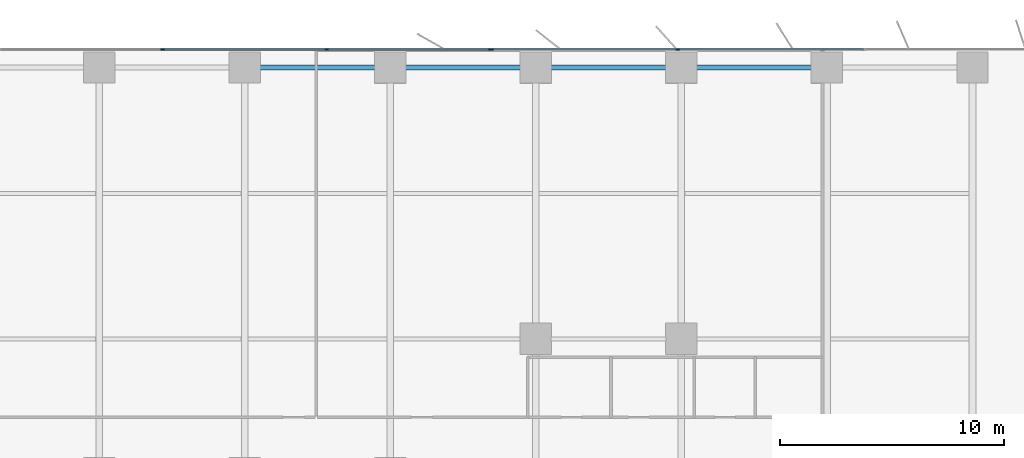
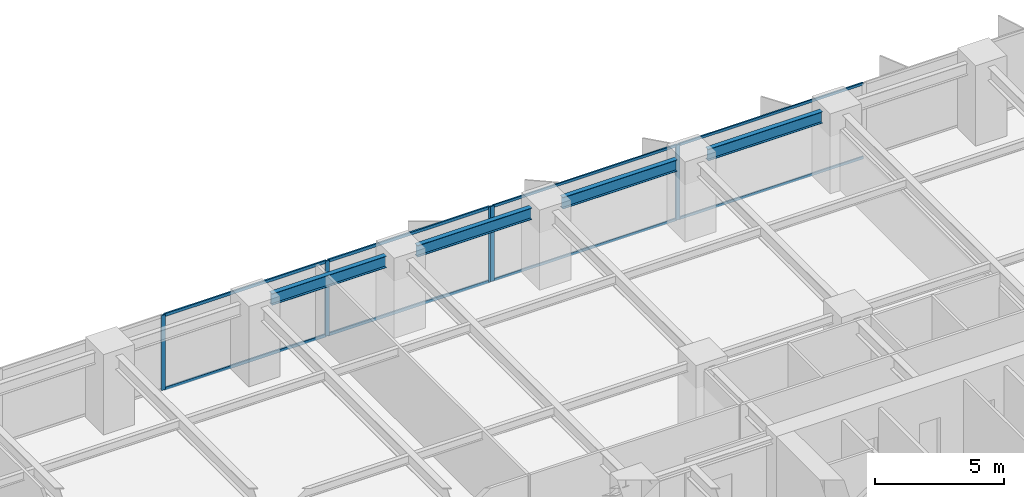
# One storey, part 9 of 20: 13 members, 4 beams, 2 elements without a shape of their own.
"""IFC4 building model written with IfcOpenShell, lengths in metres."""

from ifc_helpers import new_model, si_unit, direction, frame, origin, origin_2d, place, context, subcontext, project, spatial, rectangle, i_section, extrude, material, layer, layer_set, material_profile, profile_set, type_object, element, aggregate, save


model = new_model("IFC4")

# Units and contexts
model_context = context("Model", 3, precision=1e-05, world=origin(), true_north=direction((0.0, 1.0)))
body_context = subcontext(model_context, "Body", "Model", "MODEL_VIEW")
ifc_project = project(units=[si_unit("LENGTHUNIT", "METRE"), si_unit("AREAUNIT", "SQUARE_METRE"), si_unit("VOLUMEUNIT", "CUBIC_METRE"), si_unit("PLANEANGLEUNIT", "RADIAN"), si_unit("MASSUNIT", "GRAM", prefix="KILO")], contexts=[model_context])

# Site, building, storey
site_placement = place(None, origin())
site = spatial("IfcSite", under=ifc_project, at=site_placement, CompositionType="ELEMENT")
building_placement = place(site_placement, origin())
building = spatial("IfcBuilding", under=site, at=building_placement, Name="Putna Gate Headquarters", CompositionType="ELEMENT")
storey_placement = place(building_placement, frame((0.0, 0.0, 50.60009765625)))
storey = spatial("IfcBuildingStorey", under=building, at=storey_placement, Name="L11", CompositionType="ELEMENT", Elevation=50.60009765625)

# Beams
ifc_material_1 = material(Name="Steel S355J2", Category="steel")
ifc_material_profile_1 = material_profile(ifc_material_1, i_section(OverallWidth=0.2099609375, OverallDepth=0.550048828125, WebThickness=0.010986328125, FlangeThickness=0.01708984375, at=origin_2d()), Name="Steel S355J2")
ifc_profile_set_1 = profile_set([ifc_material_profile_1], Name="Steel S355J2")
beam_type = type_object("IfcBeamType", Name="BM-SPAN-Z1-IPE550", PredefinedType="SPANDREL", material=ifc_profile_set_1)
for number, where, z_axis, x_axis, name in (
    (1, (39.68798828125, 51.1201171875, 3.27490234375), (1.0, 0.0, 0.0), (0.0, 1.0, 0.0), "L11 N Perimeter Spandrel 6"),
    (2, (46.18798828125, 51.1201171875, 3.27490234375), (1.0, 0.0, 0.0), (0.0, 1.0, 0.0), "L11 N Perimeter Spandrel 7"),
    (3, (52.68798828125, 51.1201171875, 3.27490234375), (1.0, 0.0, 0.0), (0.0, 1.0, 0.0), "L11 N Perimeter Spandrel 8"),
    (4, (59.18798828125, 51.1201171875, 3.27490234375), (1.0, 0.0, 0.0), (0.0, 1.0, 0.0), "L11 N Perimeter Spandrel 9"),
):
    element("IfcBeam", number, at=place(storey_placement, frame(where, z_axis=z_axis, x_axis=x_axis)), inside=storey, type_object=beam_type, Name=name, PredefinedType="SPANDREL", context=body_context, shape_type="SweptSolid", body=[
        extrude(i_section(OverallWidth=0.2099609375, OverallDepth=0.550048828125, WebThickness=0.010986328125, FlangeThickness=0.01708984375, at=origin_2d()), origin(), (0.0, 0.0, 1.0), 5.1240234375),
    ])

# Curtain wall, members
ifc_material_2 = material(Name="Anodised bronze aluminium curtain wall", Category="aluminium")
ifc_layer_1 = layer(ifc_material_2, 0.179931640625)
ifc_layer_set_1 = layer_set([ifc_layer_1], Name="Anodised bronze aluminium curtain wall")
curtain_wall_type_1 = type_object("IfcCurtainWallType", Name="CW-SYS-Z1", PredefinedType="USERDEFINED", material=ifc_layer_set_1)
curtain_wall_1_placement = place(storey_placement, origin())
curtain_wall_1 = element("IfcCurtainWall", 5, at=curtain_wall_1_placement, inside=storey, type_object=curtain_wall_type_1, Name="L11 North East Curtain Wall", ObjectType="STICK CURTAIN WALL", PredefinedType="USERDEFINED")
ifc_material_3 = material(Name="Anodised bronze aluminium EN AW-6060", Category="aluminium")
ifc_material_profile_2 = material_profile(ifc_material_3, rectangle(XDim=0.070068359375, YDim=0.179931640625, at=origin_2d()), Name="Anodised bronze aluminium EN AW-6060")
ifc_profile_set_2 = profile_set([ifc_material_profile_2], Name="Anodised bronze aluminium EN AW-6060")
member_type_1 = type_object("IfcMemberType", Name="MULL-CWM-1", PredefinedType="MULLION", material=ifc_profile_set_2)
member_1_placement = place(storey_placement, frame((50.034912109375, 51.919921875, 0.0), z_axis=(0.0, 0.0, 1.0), x_axis=(0.0, 1.0, 0.0)))
member_1 = element("IfcMember", 6, at=member_1_placement, type_object=member_type_1, Name="CWS-1 mullion 1", PredefinedType="MULLION", context=body_context, shape_type="SweptSolid", body=[
    extrude(rectangle(XDim=0.070068359375, YDim=0.179931640625, at=origin_2d()), origin(), (0.0, 0.0, 1.0), 3.5498046875),
])
member_2_placement = place(storey_placement, frame((58.333251953125, 51.919921875, 0.0), z_axis=(0.0, 0.0, 1.0), x_axis=(0.0, 1.0, 0.0)))
member_2 = element("IfcMember", 7, at=member_2_placement, type_object=member_type_1, Name="CWS-1 mullion 2", PredefinedType="MULLION", context=body_context, shape_type="SweptSolid", body=[
    extrude(rectangle(XDim=0.070068359375, YDim=0.179931640625, at=origin_2d()), origin(), (0.0, 0.0, 1.0), 3.5498046875),
])

ifc_layer_2 = layer(ifc_material_2, 0.179931640625)
ifc_layer_set_2 = layer_set([ifc_layer_2], Name="Anodised bronze aluminium curtain wall")
curtain_wall_type_2 = type_object("IfcCurtainWallType", Name="CW-SYS-ATR", PredefinedType="USERDEFINED", material=ifc_layer_set_2)
curtain_wall_2_placement = place(storey_placement, origin())
curtain_wall_2 = element("IfcCurtainWall", 8, at=curtain_wall_2_placement, inside=storey, type_object=curtain_wall_type_2, Name="L11 North Atrium Clear Glazing", ObjectType="ATRIUM GLAZING", PredefinedType="USERDEFINED")
ifc_material_profile_3 = material_profile(ifc_material_3, rectangle(XDim=0.070068359375, YDim=0.179931640625, at=origin_2d()), Name="Anodised bronze aluminium EN AW-6060")
ifc_profile_set_3 = profile_set([ifc_material_profile_3], Name="Anodised bronze aluminium EN AW-6060")
member_type_2 = type_object("IfcMemberType", Name="MULL-CWM-AT", PredefinedType="MULLION", material=ifc_profile_set_3)
member_3_placement = place(storey_placement, frame((35.333251953125, 51.919921875, 0.0), z_axis=(0.0, 0.0, 1.0), x_axis=(0.0, 1.0, 0.0)))
member_3 = element("IfcMember", 9, at=member_3_placement, type_object=member_type_2, Name="CWS-AT mullion 2", PredefinedType="MULLION", context=body_context, shape_type="SweptSolid", body=[
    extrude(rectangle(XDim=0.070068359375, YDim=0.179931640625, at=origin_2d()), origin(), (0.0, 0.0, 1.0), 3.5498046875),
])
member_4_placement = place(storey_placement, frame((42.666748046875, 51.919921875, 0.0), z_axis=(0.0, 0.0, 1.0), x_axis=(0.0, 1.0, 0.0)))
member_4 = element("IfcMember", 10, at=member_4_placement, type_object=member_type_2, Name="CWS-AT mullion 3", PredefinedType="MULLION", context=body_context, shape_type="SweptSolid", body=[
    extrude(rectangle(XDim=0.070068359375, YDim=0.179931640625, at=origin_2d()), origin(), (0.0, 0.0, 1.0), 3.5498046875),
])
member_5_placement = place(storey_placement, frame((49.965087890625, 51.919921875, 0.0), z_axis=(0.0, 0.0, 1.0), x_axis=(0.0, 1.0, 0.0)))
member_5 = element("IfcMember", 11, at=member_5_placement, type_object=member_type_2, Name="CWS-AT mullion 4", PredefinedType="MULLION", context=body_context, shape_type="SweptSolid", body=[
    extrude(rectangle(XDim=0.070068359375, YDim=0.179931640625, at=origin_2d()), origin(), (0.0, 0.0, 1.0), 3.5498046875),
])

# Member
ifc_material_profile_4 = material_profile(ifc_material_3, rectangle(XDim=0.06494140625, YDim=0.1201171875, at=origin_2d()), Name="Anodised bronze aluminium EN AW-6060")
ifc_profile_set_4 = profile_set([ifc_material_profile_4], Name="Anodised bronze aluminium EN AW-6060")
member_type_3 = type_object("IfcMemberType", Name="TRAN-CWT-1", PredefinedType="USERDEFINED", material=ifc_profile_set_4)
member_6_placement = place(storey_placement, frame((50.070068359375, 51.919921875, 0.032470703125), z_axis=(1.0, 0.0, 0.0), x_axis=(0.0, 1.0, 0.0)))
member_6 = element("IfcMember", 12, at=member_6_placement, type_object=member_type_3, Name="CWS-1 transom 1.1", ObjectType="TRANSOM", PredefinedType="USERDEFINED", context=body_context, shape_type="SweptSolid", body=[
    extrude(rectangle(XDim=0.06494140625, YDim=0.1201171875, at=origin_2d()), origin(), (0.0, 0.0, 1.0), 8.228271484375),
])

member_7_placement = place(storey_placement, frame((50.070068359375, 51.919921875, 3.517333984375), z_axis=(1.0, 0.0, 0.0), x_axis=(0.0, 1.0, 0.0)))
member_7 = element("IfcMember", 13, at=member_7_placement, type_object=member_type_3, Name="CWS-1 transom 1.2", ObjectType="TRANSOM", PredefinedType="USERDEFINED", context=body_context, shape_type="SweptSolid", body=[
    extrude(rectangle(XDim=0.06494140625, YDim=0.1201171875, at=origin_2d()), origin(), (0.0, 0.0, 1.0), 8.228271484375),
])

member_8_placement = place(storey_placement, frame((58.368408203125, 51.919921875, 0.032470703125), z_axis=(1.0, 0.0, 0.0), x_axis=(0.0, 1.0, 0.0)))
member_8 = element("IfcMember", 14, at=member_8_placement, type_object=member_type_3, Name="CWS-1 transom 2.1", ObjectType="TRANSOM", PredefinedType="USERDEFINED", context=body_context, shape_type="SweptSolid", body=[
    extrude(rectangle(XDim=0.06494140625, YDim=0.1201171875, at=origin_2d()), origin(), (0.0, 0.0, 1.0), 8.26318359375),
])

member_9_placement = place(storey_placement, frame((58.368408203125, 51.919921875, 3.517333984375), z_axis=(1.0, 0.0, 0.0), x_axis=(0.0, 1.0, 0.0)))
member_9 = element("IfcMember", 15, at=member_9_placement, type_object=member_type_3, Name="CWS-1 transom 2.2", ObjectType="TRANSOM", PredefinedType="USERDEFINED", context=body_context, shape_type="SweptSolid", body=[
    extrude(rectangle(XDim=0.06494140625, YDim=0.1201171875, at=origin_2d()), origin(), (0.0, 0.0, 1.0), 8.26318359375),
])

aggregate(curtain_wall_1, [member_1, member_2, member_6, member_7, member_8, member_9])

ifc_material_profile_5 = material_profile(ifc_material_3, rectangle(XDim=0.070068359375, YDim=0.139892578125, at=origin_2d()), Name="Anodised bronze aluminium EN AW-6060")
ifc_profile_set_5 = profile_set([ifc_material_profile_5], Name="Anodised bronze aluminium EN AW-6060")
member_type_4 = type_object("IfcMemberType", Name="TRAN-CWT-AT", PredefinedType="USERDEFINED", material=ifc_profile_set_5)
member_10_placement = place(storey_placement, frame((35.368408203125, 51.919921875, 0.034912109375), z_axis=(1.0, 0.0, 0.0), x_axis=(0.0, 1.0, 0.0)))
member_10 = element("IfcMember", 16, at=member_10_placement, type_object=member_type_4, Name="CWS-AT transom 2.1", ObjectType="TRANSOM", PredefinedType="USERDEFINED", context=body_context, shape_type="SweptSolid", body=[
    extrude(rectangle(XDim=0.070068359375, YDim=0.139892578125, at=origin_2d()), origin(), (0.0, 0.0, 1.0), 7.26318359375),
])

member_11_placement = place(storey_placement, frame((35.368408203125, 51.919921875, 3.514892578125), z_axis=(1.0, 0.0, 0.0), x_axis=(0.0, 1.0, 0.0)))
member_11 = element("IfcMember", 17, at=member_11_placement, type_object=member_type_4, Name="CWS-AT transom 2.2", ObjectType="TRANSOM", PredefinedType="USERDEFINED", context=body_context, shape_type="SweptSolid", body=[
    extrude(rectangle(XDim=0.070068359375, YDim=0.139892578125, at=origin_2d()), origin(), (0.0, 0.0, 1.0), 7.26318359375),
])

member_12_placement = place(storey_placement, frame((42.70166015625, 51.919921875, 0.034912109375), z_axis=(1.0, 0.0, 0.0), x_axis=(0.0, 1.0, 0.0)))
member_12 = element("IfcMember", 18, at=member_12_placement, type_object=member_type_4, Name="CWS-AT transom 3.1", ObjectType="TRANSOM", PredefinedType="USERDEFINED", context=body_context, shape_type="SweptSolid", body=[
    extrude(rectangle(XDim=0.070068359375, YDim=0.139892578125, at=origin_2d()), origin(), (0.0, 0.0, 1.0), 7.228271484375),
])

member_13_placement = place(storey_placement, frame((42.70166015625, 51.919921875, 3.514892578125), z_axis=(1.0, 0.0, 0.0), x_axis=(0.0, 1.0, 0.0)))
member_13 = element("IfcMember", 19, at=member_13_placement, type_object=member_type_4, Name="CWS-AT transom 3.2", ObjectType="TRANSOM", PredefinedType="USERDEFINED", context=body_context, shape_type="SweptSolid", body=[
    extrude(rectangle(XDim=0.070068359375, YDim=0.139892578125, at=origin_2d()), origin(), (0.0, 0.0, 1.0), 7.228271484375),
])

aggregate(curtain_wall_2, [member_3, member_4, member_5, member_10, member_11, member_12, member_13])

save(model, "model.ifc")
